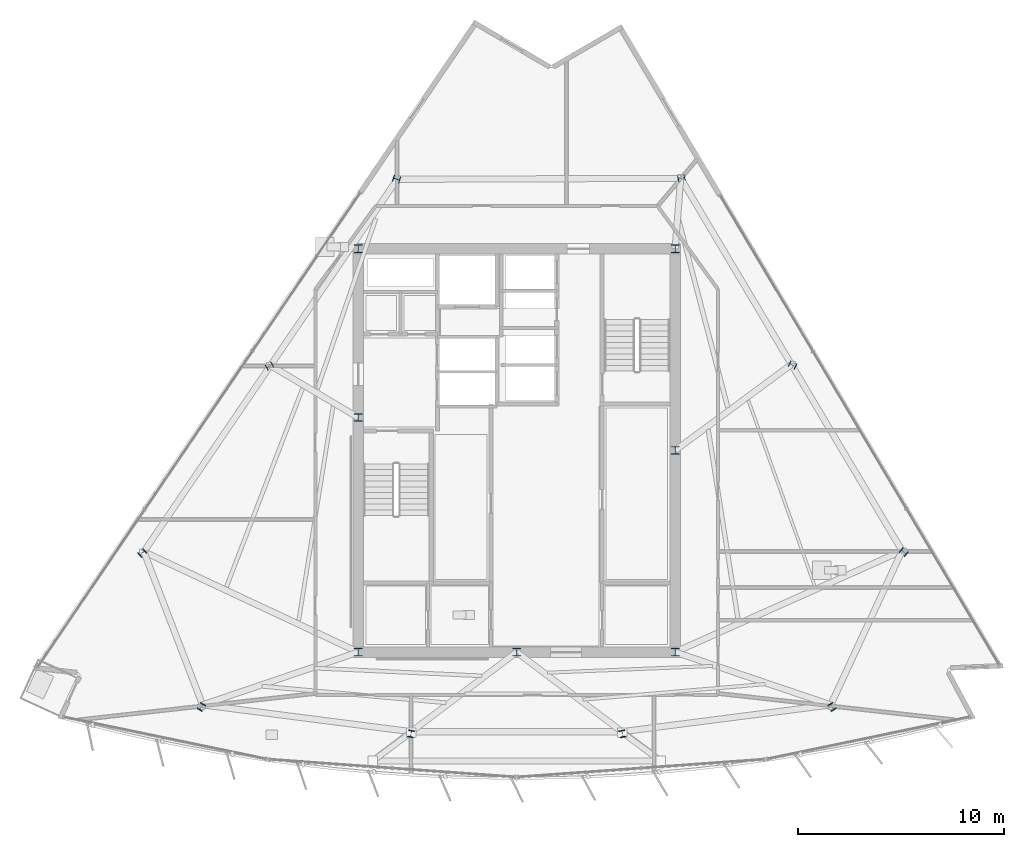
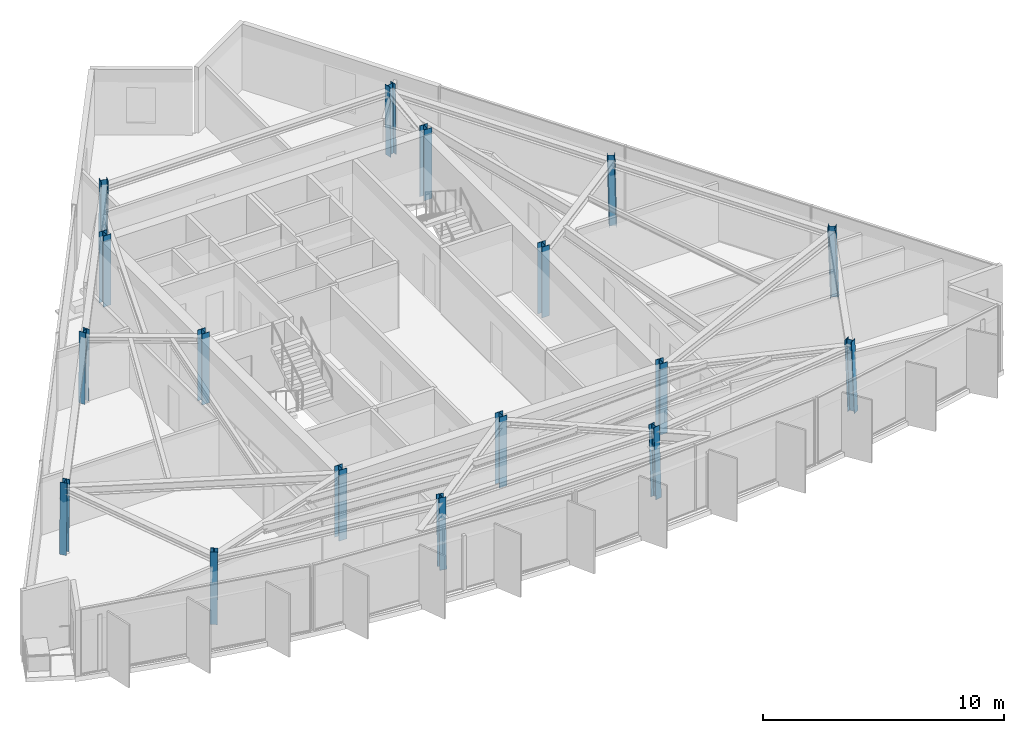
# One storey, part 1 of 12: 17 columns.
"""IFC4 building model written with IfcOpenShell, lengths in metres."""

import ifcopenshell
import ifcopenshell.guid

model = None  # the IFC model being written
_history = None  # IfcOwnerHistory: only IFC2X3 demands one
_inside = {}  # id of a spatial element -> (the spatial element, [elements in it])
_under = {}  # id of a project, library or spatial element -> (it, [spatial elements below it])
_declared = {}  # id of a project -> (the project, [libraries it declares])
_typed = {}  # id of a type object -> (the type object, [elements of that type])
_made_of = {}  # id of a material, layer set ... -> (it, [elements and type objects made of it])


def new_model(schema):
    """Start an empty IFC model of exactly this schema.

    Asked for "IFC4X3", IfcOpenShell would pick the latest addendum, in which some entities
    have other attributes; the version numbers below select the first issue.
    IFC2X3 requires an IfcOwnerHistory on every rooted entity: one is made here for all.
    """
    global model, _history
    if schema == "IFC4X3":
        model = ifcopenshell.file(schema_version=(4, 3, 0, 0))
    else:
        model = ifcopenshell.file(schema=schema)
    _inside.clear()
    _under.clear()
    _declared.clear()
    _typed.clear()
    _made_of.clear()
    _history = None
    if model.schema == "IFC2X3":
        org = make("IfcOrganization", Name="unknown")
        user = make(
            "IfcPersonAndOrganization",
            ThePerson=make("IfcPerson", FamilyName="unknown"),
            TheOrganization=org,
        )
        app = make(
            "IfcApplication",
            ApplicationDeveloper=org,
            Version="unknown",
            ApplicationFullName="unknown",
            ApplicationIdentifier="unknown",
        )
        _history = make(
            "IfcOwnerHistory",
            OwningUser=user,
            OwningApplication=app,
            ChangeAction="ADDED",
            CreationDate=0,
        )
    return model


def make(cls, **values):
    """One entity of the class cls with the attributes given. An attribute that is None is left unset."""
    return model.create_entity(
        cls, **{name: value for name, value in values.items() if value is not None}
    )


def rooted(cls, **values):
    """An entity with a GlobalId (a new one), such as an element, a storey or a relation."""
    return make(cls, GlobalId=ifcopenshell.guid.new(), OwnerHistory=_history, **values)


def si_unit(unit_type, name, prefix=None):
    """IfcSIUnit, for example si_unit("LENGTHUNIT", "METRE", prefix="MILLI")."""
    return make("IfcSIUnit", UnitType=unit_type, Prefix=prefix, Name=name)


def assignment(units):
    """IfcUnitAssignment: the units of a project."""
    return None if units is None else make("IfcUnitAssignment", Units=units)


def point(xyz):
    """IfcCartesianPoint."""
    return None if xyz is None else make("IfcCartesianPoint", Coordinates=xyz)


def direction(xyz):
    """IfcDirection."""
    return None if xyz is None else make("IfcDirection", DirectionRatios=xyz)


def frame(location, z_axis=None, x_axis=None):
    """IfcAxis2Placement3D, a coordinate frame: its origin and axes. An axis left out is left unset."""
    return make(
        "IfcAxis2Placement3D",
        Location=point(location),
        Axis=direction(z_axis),
        RefDirection=direction(x_axis),
    )


def frame_2d(location, x_axis=None):
    """IfcAxis2Placement2D, a coordinate frame in the plane: its origin and x axis."""
    return make(
        "IfcAxis2Placement2D", Location=point(location), RefDirection=direction(x_axis)
    )


def origin():
    """The frame at (0, 0, 0) with its axes left unset."""
    return frame((0.0, 0.0, 0.0))


def origin_2d():
    """The frame at (0, 0) in the plane with its x axis left unset."""
    return frame_2d((0.0, 0.0))


def place(relative_to, where):
    """IfcLocalPlacement: puts the frame where relative to a parent placement (None: the world)."""
    return make(
        "IfcLocalPlacement", PlacementRelTo=relative_to, RelativePlacement=where
    )


def context(
    kind, dimensions, precision=None, world=None, true_north=None, identifier=None
):
    """IfcGeometricRepresentationContext, for example the 3D "Model" context."""
    return make(
        "IfcGeometricRepresentationContext",
        ContextIdentifier=identifier,
        ContextType=kind,
        CoordinateSpaceDimension=dimensions,
        Precision=precision,
        WorldCoordinateSystem=world,
        TrueNorth=true_north,
    )


def subcontext(parent, identifier, kind, view, scale=None):
    """IfcGeometricRepresentationSubContext, for example "Body" below "Model"."""
    return make(
        "IfcGeometricRepresentationSubContext",
        ContextIdentifier=identifier,
        ContextType=kind,
        ParentContext=parent,
        TargetScale=scale,
        TargetView=view,
    )


def project(units=None, contexts=None):
    """IfcProject with its units and contexts."""
    return rooted(
        "IfcProject",
        Name="project",
        RepresentationContexts=contexts,
        UnitsInContext=assignment(units),
    )


def spatial(cls, under=None, at=None, **own):
    """A site, building, storey or space (cls), placed at a placement, below another one or the project."""
    s = rooted(cls, ObjectPlacement=at, **own)
    if under is not None:
        _under.setdefault(under.id(), (under, []))[1].append(s)
    return s


def profile(cls, at=None, kind="AREA", **sizes):
    """A parametric profile (cls). Its sizes go by their IFC names, for example OverallWidth=200.0."""
    return make(cls, ProfileType=kind, Position=at, **sizes)


def i_section(**sizes):
    """IfcIShapeProfileDef."""
    return profile("IfcIShapeProfileDef", **sizes)


def extrude(swept, where, along, depth):
    """IfcExtrudedAreaSolid: the profile swept, set in the frame where, extruded along a direction by depth."""
    return make(
        "IfcExtrudedAreaSolid",
        SweptArea=swept,
        Position=where,
        ExtrudedDirection=direction(along),
        Depth=depth,
    )


def shape(context_of_items, identifier, shape_type, items):
    """IfcShapeRepresentation: the items that make up one representation, for example the "Body"."""
    return make(
        "IfcShapeRepresentation",
        ContextOfItems=context_of_items,
        RepresentationIdentifier=identifier,
        RepresentationType=shape_type,
        Items=items,
    )


def material(Name=None, Category=None):
    """IfcMaterial."""
    return make("IfcMaterial", Name=Name, Category=Category)


def material_profile(
    of_material, cross_section, Name=None, Category=None, Priority=None
):
    """IfcMaterialProfile: a cross section and its material."""
    return make(
        "IfcMaterialProfile",
        Name=Name,
        Material=of_material,
        Profile=cross_section,
        Priority=Priority,
        Category=Category,
    )


def profile_set(profiles, Name=None, composite=None):
    """IfcMaterialProfileSet."""
    return make(
        "IfcMaterialProfileSet",
        Name=Name,
        MaterialProfiles=profiles,
        CompositeProfile=composite,
    )


def made_of(thing, what):
    """Note that an element or type object is made of a material, layer set ...; save() writes the relation."""
    if what is not None:
        _made_of.setdefault(what.id(), (what, []))[1].append(thing)
    return thing


def type_object(cls, material=None, **own):
    """A type object (cls), such as IfcWallType, which elements share."""
    return made_of(rooted(cls, **own), material)


def element(
    cls,
    number,
    at=None,
    inside=None,
    cuts=None,
    type_object=None,
    material=None,
    context=None,
    identifier="Body",
    shape_type=None,
    held_by="IfcProductDefinitionShape",
    body=None,
    shapes=None,
    **own,
):
    """One element of the class cls, such as IfcWall. Its Tag is "e" and its number.

    at: its placement. inside: the storey or other place that contains it. cuts: it is an
    opening in that element (IfcRelVoidsElement). A single representation is given by context,
    identifier, shape_type and body (its items); several are given by shapes. held_by: the class
    of the entity that holds the representations. save() writes the other relations.
    """
    e = rooted(cls, Tag="e%d" % number, ObjectPlacement=at, **own)
    if body is not None:
        shapes = [shape(context, identifier, shape_type, body)]
    if shapes is not None:
        e.Representation = make(held_by, Representations=shapes)
    if inside is not None:
        _inside.setdefault(inside.id(), (inside, []))[1].append(e)
    if cuts is not None:
        rooted(
            "IfcRelVoidsElement", RelatingBuildingElement=cuts, RelatedOpeningElement=e
        )
    if type_object is not None:
        _typed.setdefault(type_object.id(), (type_object, []))[1].append(e)
    return made_of(e, material)


def aggregate(whole, parts):
    """IfcRelAggregates: a whole, such as a stair, and the parts it consists of."""
    return rooted("IfcRelAggregates", RelatingObject=whole, RelatedObjects=parts)


def save(model, path):
    """Write the relations noted so far, then the file.

    IfcRelAggregates (storeys below a building ...), IfcRelContainedInSpatialStructure (elements
    in a storey), IfcRelDefinesByType, IfcRelAssociatesMaterial and IfcRelDeclares: one each for
    every whole, place, type object, material and project.
    """
    for whole, parts in _under.values():
        aggregate(whole, parts)
    for where, things in _inside.values():
        rooted(
            "IfcRelContainedInSpatialStructure",
            RelatedElements=things,
            RelatingStructure=where,
        )
    for kind, things in _typed.values():
        rooted("IfcRelDefinesByType", RelatedObjects=things, RelatingType=kind)
    for what, things in _made_of.values():
        rooted("IfcRelAssociatesMaterial", RelatedObjects=things, RelatingMaterial=what)
    for by, libraries in _declared.values():
        rooted("IfcRelDeclares", RelatingContext=by, RelatedDefinitions=libraries)
    model.write(path)


model = new_model("IFC4")

# Units and contexts
model_context = context("Model", 3, precision=1e-05, world=origin(), true_north=direction((0.0, 1.0)))
body_context = subcontext(model_context, "Body", "Model", "MODEL_VIEW")
ifc_project = project(units=[si_unit("LENGTHUNIT", "METRE"), si_unit("AREAUNIT", "SQUARE_METRE"), si_unit("VOLUMEUNIT", "CUBIC_METRE"), si_unit("PLANEANGLEUNIT", "RADIAN"), si_unit("MASSUNIT", "GRAM", prefix="KILO")], contexts=[model_context])

# Site, building, storey
site_placement = place(None, origin())
site = spatial("IfcSite", under=ifc_project, at=site_placement, CompositionType="ELEMENT")
building_placement = place(site_placement, origin())
building = spatial("IfcBuilding", under=site, at=building_placement, Name="Savorim Split Tower", CompositionType="ELEMENT")
storey_placement = place(building_placement, frame((0.0, 0.0, 279.60009765625)))
storey = spatial("IfcBuildingStorey", under=building, at=storey_placement, Name="L74", CompositionType="ELEMENT", Elevation=279.60009765625)

# Columns
ifc_material = material(Name="Steel S355", Category="steel")
ifc_material_profile_1 = material_profile(ifc_material, i_section(OverallWidth=0.30908203125, OverallDepth=0.330078125, WebThickness=0.011474609375, FlangeThickness=0.01904296875, FilletRadius=0.027099609375, at=origin_2d()), Name="HD 320x158")
ifc_profile_set_1 = profile_set([ifc_material_profile_1], Name="Steel S355")
column_type_1 = type_object("IfcColumnType", Name="COL-HD-158", PredefinedType="COLUMN", material=ifc_profile_set_1)
column_1_placement = place(storey_placement, frame((-15.333251953125, -12.082763671875, 0.00537109375), z_axis=(0.020594893987, 0.033509183946, 0.999226193078), x_axis=(-0.851954850327, 0.523615252838, 0.0)))
element("IfcColumn", 1, at=column_1_placement, inside=storey, type_object=column_type_1, Name="L74 Tapered Perimeter Column PC-S1", PredefinedType="COLUMN", context=body_context, shape_type="SweptSolid", body=[
    extrude(i_section(OverallWidth=0.30908203125, OverallDepth=0.330078125, WebThickness=0.011474609375, FlangeThickness=0.01904296875, FilletRadius=0.027099609375, at=origin_2d()), origin(), (0.0, 0.0, 1.0), 3.591796875),
])
for number, where, z_axis, x_axis, name in (
    (2, (-5.138916015625, -13.3916015625, 0.00537109375), (0.006865841702, 0.035280909339, 0.999353850072), (-0.981585848295, 0.191021523464, 0.0), "L74 Tapered Perimeter Column PC-S2"),
    (3, (5.138916015625, -13.3916015625, 0.00537109375), (-0.006865841702, 0.035280909339, 0.999353850072), (-0.981585848295, -0.191021523464, 0.0), "L74 Tapered Perimeter Column PC-S3"),
):
    element("IfcColumn", number, at=place(storey_placement, frame(where, z_axis=z_axis, x_axis=x_axis)), inside=storey, type_object=column_type_1, Name=name, PredefinedType="COLUMN", context=body_context, shape_type="SweptSolid", body=[
        extrude(i_section(OverallWidth=0.30908203125, OverallDepth=0.330078125, WebThickness=0.011474609375, FlangeThickness=0.01904296875, FilletRadius=0.027099609375, at=origin_2d()), origin(), (0.0, 0.0, 1.0), 3.591552734375),
    ])
column_2_placement = place(storey_placement, frame((15.333251953125, -12.082763671875, 0.00537109375), z_axis=(-0.020594893987, 0.033509183946, 0.999226193078), x_axis=(-0.851954850327, -0.523615252838, 0.0)))
element("IfcColumn", 4, at=column_2_placement, inside=storey, type_object=column_type_1, Name="L74 Tapered Perimeter Column PC-S4", PredefinedType="COLUMN", context=body_context, shape_type="SweptSolid", body=[
    extrude(i_section(OverallWidth=0.30908203125, OverallDepth=0.330078125, WebThickness=0.011474609375, FlangeThickness=0.01904296875, FilletRadius=0.027099609375, at=origin_2d()), origin(), (0.0, 0.0, 1.0), 3.591796875),
])
column_3_placement = place(storey_placement, frame((18.820556640625, -4.55029296875, 0.00537109375), z_axis=(-0.026105701351, 0.021550800334, 0.999426863438), x_axis=(-0.636621915226, -0.771176073964, 0.0)))
element("IfcColumn", 5, at=column_3_placement, inside=storey, type_object=column_type_1, Name="L74 Tapered Perimeter Column PC-E1", PredefinedType="COLUMN", context=body_context, shape_type="SweptSolid", body=[
    extrude(i_section(OverallWidth=0.30908203125, OverallDepth=0.330078125, WebThickness=0.011474609375, FlangeThickness=0.01904296875, FilletRadius=0.027099609375, at=origin_2d()), origin(), (0.0, 0.0, 1.0), 3.591064453125),
])
column_4_placement = place(storey_placement, frame((13.416015625, 4.53857421875, 0.00537109375), z_axis=(-0.018974011572, 0.009589016601, 0.999773993283), x_axis=(-0.451048184688, -0.89249959949, 0.0)))
element("IfcColumn", 6, at=column_4_placement, inside=storey, type_object=column_type_1, Name="L74 Tapered Perimeter Column PC-E2", PredefinedType="COLUMN", context=body_context, shape_type="SweptSolid", body=[
    extrude(i_section(OverallWidth=0.30908203125, OverallDepth=0.330078125, WebThickness=0.011474609375, FlangeThickness=0.01904296875, FilletRadius=0.027099609375, at=origin_2d()), origin(), (0.0, 0.0, 1.0), 3.58984375),
])
for number, where, z_axis, x_axis, name in (
    (7, (8.011474609375, 13.627685546875, 0.00537109375), (-0.011767052893, -0.002584670578, 0.999927425339), (0.214538664031, -0.976715496773, 0.0), "L74 Tapered Perimeter Column PC-E3"),
    (8, (-5.836669921875, 13.578857421875, 0.00537109375), (0.008774546149, -0.002584750028, 0.999958162328), (0.282568886397, 0.959247009086, 0.0), "L74 Tapered Perimeter Column PC-W1"),
):
    element("IfcColumn", number, at=place(storey_placement, frame(where, z_axis=z_axis, x_axis=x_axis)), inside=storey, type_object=column_type_1, Name=name, PredefinedType="COLUMN", context=body_context, shape_type="SweptSolid", body=[
        extrude(i_section(OverallWidth=0.30908203125, OverallDepth=0.330078125, WebThickness=0.011474609375, FlangeThickness=0.01904296875, FilletRadius=0.027099609375, at=origin_2d()), origin(), (0.0, 0.0, 1.0), 3.58935546875),
    ])
column_5_placement = place(storey_placement, frame((-12.019775390625, 4.48974609375, 0.00537109375), z_axis=(0.017070406608, 0.009521342331, 0.99980895438), x_axis=(-0.487119351792, 0.873335409284, 0.0)))
element("IfcColumn", 9, at=column_5_placement, inside=storey, type_object=column_type_1, Name="L74 Tapered Perimeter Column PC-W2", PredefinedType="COLUMN", context=body_context, shape_type="SweptSolid", body=[
    extrude(i_section(OverallWidth=0.30908203125, OverallDepth=0.330078125, WebThickness=0.011474609375, FlangeThickness=0.01904296875, FilletRadius=0.027099609375, at=origin_2d()), origin(), (0.0, 0.0, 1.0), 3.58984375),
])
column_6_placement = place(storey_placement, frame((-18.202880859375, -4.59912109375, 0.00537109375), z_axis=(0.025222449659, 0.021619242565, 0.999448065876), x_axis=(-0.650791373456, 0.759256602365, 0.0)))
element("IfcColumn", 10, at=column_6_placement, inside=storey, type_object=column_type_1, Name="L74 Tapered Perimeter Column PC-W3", PredefinedType="COLUMN", context=body_context, shape_type="SweptSolid", body=[
    extrude(i_section(OverallWidth=0.30908203125, OverallDepth=0.330078125, WebThickness=0.011474609375, FlangeThickness=0.01904296875, FilletRadius=0.027099609375, at=origin_2d()), origin(), (0.0, 0.0, 1.0), 3.591064453125),
])
ifc_material_profile_2 = material_profile(ifc_material, i_section(OverallWidth=0.3740234375, OverallDepth=0.3720703125, WebThickness=0.01220703125, FlangeThickness=0.02001953125, FilletRadius=0.014892578125, at=origin_2d()), Name="HD 360x196")
ifc_profile_set_2 = profile_set([ifc_material_profile_2], Name="Steel S355")
column_type_2 = type_object("IfcColumnType", Name="COL-HD-196", PredefinedType="COLUMN", material=ifc_profile_set_2)
for number, where, z_axis, x_axis, name in (
    (11, (-7.699951171875, -9.39990234375, 0.0), (0.0, 0.0, 1.0), (1.0, 0.0, 0.0), "L74 Core Structural Column TC-C1"),
    (12, (7.699951171875, -9.39990234375, 0.0), (0.0, 0.0, 1.0), (1.0, 0.0, 0.0), "L74 Core Structural Column TC-C2"),
    (13, (7.699951171875, 10.199951171875, 0.0), (0.0, 0.0, 1.0), (1.0, 0.0, 0.0), "L74 Core Structural Column TC-C3"),
    (14, (-7.699951171875, 10.199951171875, 0.0), (0.0, 0.0, 1.0), (1.0, 0.0, 0.0), "L74 Core Structural Column TC-C4"),
    (15, (0.0, -9.39990234375, 0.0), (0.0, 0.0, 1.0), (1.0, 0.0, 0.0), "L74 Core Structural Column TC-C5"),
    (16, (7.699951171875, 0.39990234375, 0.0), (0.0, 0.0, 1.0), (1.0, 0.0, 0.0), "L74 Core Structural Column TC-C6"),
    (17, (-7.699951171875, 2.0, 0.0), (0.0, 0.0, 1.0), (1.0, 0.0, 0.0), "L74 Core Structural Column TC-C7"),
):
    element("IfcColumn", number, at=place(storey_placement, frame(where, z_axis=z_axis, x_axis=x_axis)), inside=storey, type_object=column_type_2, Name=name, PredefinedType="COLUMN", context=body_context, shape_type="SweptSolid", body=[
        extrude(i_section(OverallWidth=0.3740234375, OverallDepth=0.3720703125, WebThickness=0.01220703125, FlangeThickness=0.02001953125, FilletRadius=0.014892578125, at=origin_2d()), origin(), (0.0, 0.0, 1.0), 3.599853515625),
    ])

save(model, "model.ifc")
